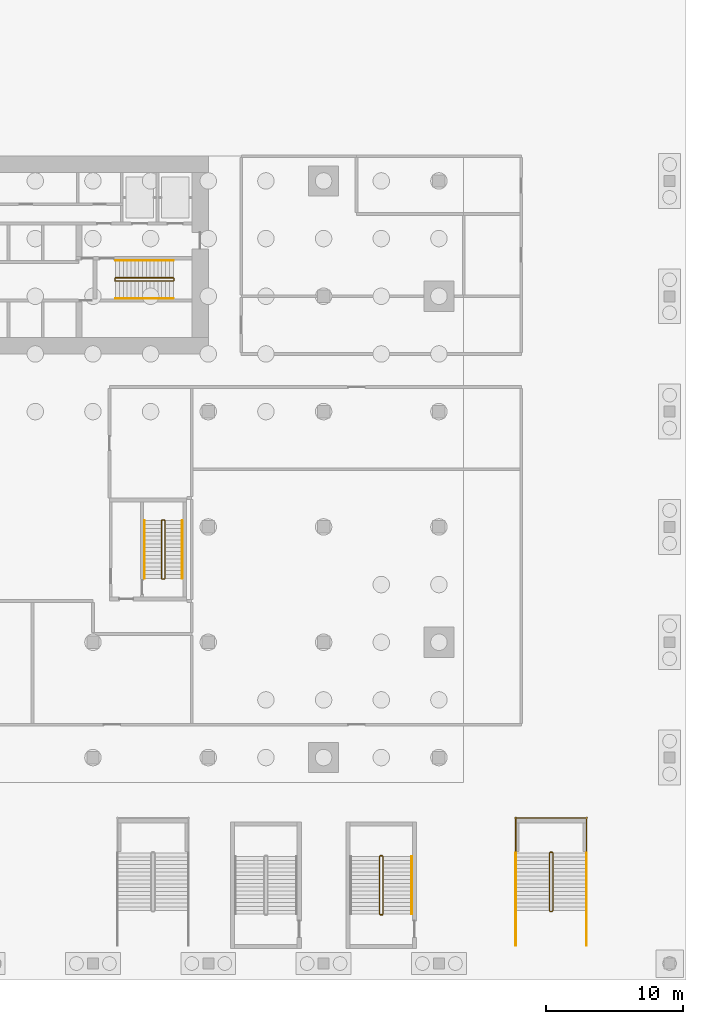
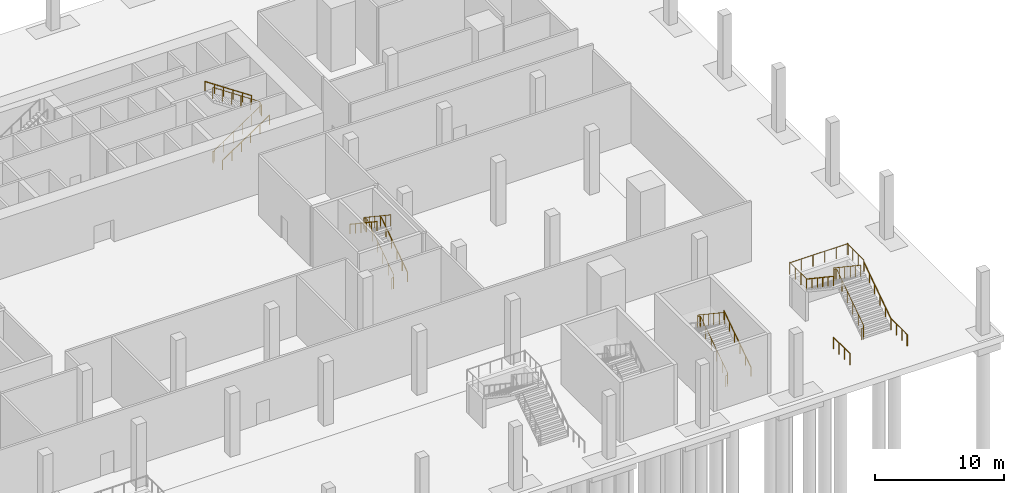
# One storey, part 15 of 16: 14 railings.
"""IFC4 building model written with IfcOpenShell, lengths in metres."""

import ifcopenshell
import ifcopenshell.guid

model = None  # the IFC model being written
_history = None  # IfcOwnerHistory: only IFC2X3 demands one
_inside = {}  # id of a spatial element -> (the spatial element, [elements in it])
_under = {}  # id of a project, library or spatial element -> (it, [spatial elements below it])
_declared = {}  # id of a project -> (the project, [libraries it declares])
_typed = {}  # id of a type object -> (the type object, [elements of that type])
_made_of = {}  # id of a material, layer set ... -> (it, [elements and type objects made of it])


def new_model(schema):
    """Start an empty IFC model of exactly this schema.

    Asked for "IFC4X3", IfcOpenShell would pick the latest addendum, in which some entities
    have other attributes; the version numbers below select the first issue.
    IFC2X3 requires an IfcOwnerHistory on every rooted entity: one is made here for all.
    """
    global model, _history
    if schema == "IFC4X3":
        model = ifcopenshell.file(schema_version=(4, 3, 0, 0))
    else:
        model = ifcopenshell.file(schema=schema)
    _inside.clear()
    _under.clear()
    _declared.clear()
    _typed.clear()
    _made_of.clear()
    _history = None
    if model.schema == "IFC2X3":
        org = make("IfcOrganization", Name="unknown")
        user = make(
            "IfcPersonAndOrganization",
            ThePerson=make("IfcPerson", FamilyName="unknown"),
            TheOrganization=org,
        )
        app = make(
            "IfcApplication",
            ApplicationDeveloper=org,
            Version="unknown",
            ApplicationFullName="unknown",
            ApplicationIdentifier="unknown",
        )
        _history = make(
            "IfcOwnerHistory",
            OwningUser=user,
            OwningApplication=app,
            ChangeAction="ADDED",
            CreationDate=0,
        )
    return model


def make(cls, **values):
    """One entity of the class cls with the attributes given. An attribute that is None is left unset."""
    return model.create_entity(
        cls, **{name: value for name, value in values.items() if value is not None}
    )


def rooted(cls, **values):
    """An entity with a GlobalId (a new one), such as an element, a storey or a relation."""
    return make(cls, GlobalId=ifcopenshell.guid.new(), OwnerHistory=_history, **values)


def si_unit(unit_type, name, prefix=None):
    """IfcSIUnit, for example si_unit("LENGTHUNIT", "METRE", prefix="MILLI")."""
    return make("IfcSIUnit", UnitType=unit_type, Prefix=prefix, Name=name)


def assignment(units):
    """IfcUnitAssignment: the units of a project."""
    return None if units is None else make("IfcUnitAssignment", Units=units)


def point(xyz):
    """IfcCartesianPoint."""
    return None if xyz is None else make("IfcCartesianPoint", Coordinates=xyz)


def direction(xyz):
    """IfcDirection."""
    return None if xyz is None else make("IfcDirection", DirectionRatios=xyz)


def frame(location, z_axis=None, x_axis=None):
    """IfcAxis2Placement3D, a coordinate frame: its origin and axes. An axis left out is left unset."""
    return make(
        "IfcAxis2Placement3D",
        Location=point(location),
        Axis=direction(z_axis),
        RefDirection=direction(x_axis),
    )


def frame_2d(location, x_axis=None):
    """IfcAxis2Placement2D, a coordinate frame in the plane: its origin and x axis."""
    return make(
        "IfcAxis2Placement2D", Location=point(location), RefDirection=direction(x_axis)
    )


def origin():
    """The frame at (0, 0, 0) with its axes left unset."""
    return frame((0.0, 0.0, 0.0))


def origin_2d():
    """The frame at (0, 0) in the plane with its x axis left unset."""
    return frame_2d((0.0, 0.0))


def place(relative_to, where):
    """IfcLocalPlacement: puts the frame where relative to a parent placement (None: the world)."""
    return make(
        "IfcLocalPlacement", PlacementRelTo=relative_to, RelativePlacement=where
    )


def context(
    kind, dimensions, precision=None, world=None, true_north=None, identifier=None
):
    """IfcGeometricRepresentationContext, for example the 3D "Model" context."""
    return make(
        "IfcGeometricRepresentationContext",
        ContextIdentifier=identifier,
        ContextType=kind,
        CoordinateSpaceDimension=dimensions,
        Precision=precision,
        WorldCoordinateSystem=world,
        TrueNorth=true_north,
    )


def subcontext(parent, identifier, kind, view, scale=None):
    """IfcGeometricRepresentationSubContext, for example "Body" below "Model"."""
    return make(
        "IfcGeometricRepresentationSubContext",
        ContextIdentifier=identifier,
        ContextType=kind,
        ParentContext=parent,
        TargetScale=scale,
        TargetView=view,
    )


def project(units=None, contexts=None):
    """IfcProject with its units and contexts."""
    return rooted(
        "IfcProject",
        Name="project",
        RepresentationContexts=contexts,
        UnitsInContext=assignment(units),
    )


def spatial(cls, under=None, at=None, **own):
    """A site, building, storey or space (cls), placed at a placement, below another one or the project."""
    s = rooted(cls, ObjectPlacement=at, **own)
    if under is not None:
        _under.setdefault(under.id(), (under, []))[1].append(s)
    return s


def profile(cls, at=None, kind="AREA", **sizes):
    """A parametric profile (cls). Its sizes go by their IFC names, for example OverallWidth=200.0."""
    return make(cls, ProfileType=kind, Position=at, **sizes)


def circle(**sizes):
    """IfcCircleProfileDef."""
    return profile("IfcCircleProfileDef", **sizes)


def extrude(swept, where, along, depth):
    """IfcExtrudedAreaSolid: the profile swept, set in the frame where, extruded along a direction by depth."""
    return make(
        "IfcExtrudedAreaSolid",
        SweptArea=swept,
        Position=where,
        ExtrudedDirection=direction(along),
        Depth=depth,
    )


def shape(context_of_items, identifier, shape_type, items):
    """IfcShapeRepresentation: the items that make up one representation, for example the "Body"."""
    return make(
        "IfcShapeRepresentation",
        ContextOfItems=context_of_items,
        RepresentationIdentifier=identifier,
        RepresentationType=shape_type,
        Items=items,
    )


def material(Name=None, Category=None):
    """IfcMaterial."""
    return make("IfcMaterial", Name=Name, Category=Category)


def made_of(thing, what):
    """Note that an element or type object is made of a material, layer set ...; save() writes the relation."""
    if what is not None:
        _made_of.setdefault(what.id(), (what, []))[1].append(thing)
    return thing


def type_object(cls, material=None, **own):
    """A type object (cls), such as IfcWallType, which elements share."""
    return made_of(rooted(cls, **own), material)


def element(
    cls,
    number,
    at=None,
    inside=None,
    cuts=None,
    type_object=None,
    material=None,
    context=None,
    identifier="Body",
    shape_type=None,
    held_by="IfcProductDefinitionShape",
    body=None,
    shapes=None,
    **own,
):
    """One element of the class cls, such as IfcWall. Its Tag is "e" and its number.

    at: its placement. inside: the storey or other place that contains it. cuts: it is an
    opening in that element (IfcRelVoidsElement). A single representation is given by context,
    identifier, shape_type and body (its items); several are given by shapes. held_by: the class
    of the entity that holds the representations. save() writes the other relations.
    """
    e = rooted(cls, Tag="e%d" % number, ObjectPlacement=at, **own)
    if body is not None:
        shapes = [shape(context, identifier, shape_type, body)]
    if shapes is not None:
        e.Representation = make(held_by, Representations=shapes)
    if inside is not None:
        _inside.setdefault(inside.id(), (inside, []))[1].append(e)
    if cuts is not None:
        rooted(
            "IfcRelVoidsElement", RelatingBuildingElement=cuts, RelatedOpeningElement=e
        )
    if type_object is not None:
        _typed.setdefault(type_object.id(), (type_object, []))[1].append(e)
    return made_of(e, material)


def aggregate(whole, parts):
    """IfcRelAggregates: a whole, such as a stair, and the parts it consists of."""
    return rooted("IfcRelAggregates", RelatingObject=whole, RelatedObjects=parts)


def save(model, path):
    """Write the relations noted so far, then the file.

    IfcRelAggregates (storeys below a building ...), IfcRelContainedInSpatialStructure (elements
    in a storey), IfcRelDefinesByType, IfcRelAssociatesMaterial and IfcRelDeclares: one each for
    every whole, place, type object, material and project.
    """
    for whole, parts in _under.values():
        aggregate(whole, parts)
    for where, things in _inside.values():
        rooted(
            "IfcRelContainedInSpatialStructure",
            RelatedElements=things,
            RelatingStructure=where,
        )
    for kind, things in _typed.values():
        rooted("IfcRelDefinesByType", RelatedObjects=things, RelatingType=kind)
    for what, things in _made_of.values():
        rooted("IfcRelAssociatesMaterial", RelatedObjects=things, RelatingMaterial=what)
    for by, libraries in _declared.values():
        rooted("IfcRelDeclares", RelatingContext=by, RelatedDefinitions=libraries)
    model.write(path)


model = new_model("IFC4")

# Units and contexts
model_context = context("Model", 3, precision=1e-05, world=origin(), true_north=direction((0.0, 1.0)))
body_context = subcontext(model_context, "Body", "Model", "MODEL_VIEW")
ifc_project = project(units=[si_unit("LENGTHUNIT", "METRE"), si_unit("AREAUNIT", "SQUARE_METRE"), si_unit("VOLUMEUNIT", "CUBIC_METRE"), si_unit("PLANEANGLEUNIT", "RADIAN"), si_unit("MASSUNIT", "GRAM", prefix="KILO")], contexts=[model_context])

# Site, building, storey
site_placement = place(None, origin())
site = spatial("IfcSite", under=ifc_project, at=site_placement, CompositionType="ELEMENT")
building_placement = place(site_placement, origin())
building = spatial("IfcBuilding", under=site, at=building_placement, Name="Saffron Gate Tower", CompositionType="ELEMENT")
storey_placement = place(building_placement, frame((0.0, 0.0, -6.0)))
storey = spatial("IfcBuildingStorey", under=building, at=storey_placement, Name="B1", CompositionType="ELEMENT", Elevation=-6.0)

# Railings
ifc_material_1 = material(Name="Stainless steel and laminated glass", Category="steel")
railing_type_1 = type_object("IfcRailingType", Name="CR1 Stair guard 1100", PredefinedType="GUARDRAIL", material=ifc_material_1)
railing_1_placement = place(storey_placement, frame((133.5, 20.60009765625, 0.0)))
element("IfcRailing", 1, at=railing_1_placement, inside=storey, type_object=railing_type_1, Name="B1 SS4 stair guard 1", PredefinedType="GUARDRAIL", context=body_context, shape_type="SweptSolid", body=[
    extrude(circle(Radius=0.02392578125, at=origin_2d()), frame((0.0, 0.0, 1.076171875), z_axis=(1.0, 0.0, 0.0), x_axis=(0.0, 1.0, 0.0)), (0.0, 0.0, 1.0), 0.14990234375),
    extrude(circle(Radius=0.02392578125, at=origin_2d()), frame((0.14990234375, 0.0, 1.076171875), z_axis=(0.249802250048, 0.248583702486, 0.935844527007), x_axis=(-0.705375805398, 0.708833529934, 0.0)), (0.0, 0.0, 1.0), 0.200439453125),
    extrude(circle(Radius=0.02392578125, at=origin_2d()), frame((0.199951171875, 0.0498046875, 1.263671875), z_axis=(0.0, 0.830919138977, 0.55639319234), x_axis=(-1.0, 0.0, 0.0)), (0.0, 0.0, 1.0), 5.054931640625),
    extrude(circle(Radius=0.02392578125, at=origin_2d()), frame((0.199951171875, 4.25, 4.076171875), z_axis=(-0.708833529934, 0.705375805398, 0.0), x_axis=(-0.705375805398, -0.708833529934, 0.0)), (0.0, 0.0, 1.0), 0.070556640625),
    extrude(circle(Radius=0.02392578125, at=origin_2d()), frame((0.14990234375, 4.2998046875, 4.076171875), z_axis=(-1.0, 0.0, 0.0), x_axis=(0.0, -1.0, 0.0)), (0.0, 0.0, 1.0), 0.14990234375),
    extrude(circle(Radius=0.02392578125, at=origin_2d()), frame((0.0, 4.2998046875, 4.076171875), z_axis=(-0.249802250048, -0.248583702486, 0.935844527007), x_axis=(0.705375805398, -0.708833529934, 0.0)), (0.0, 0.0, 1.0), 0.200439453125),
    extrude(circle(Radius=0.02392578125, at=origin_2d()), frame((-0.050048828125, 4.25, 4.263671875), z_axis=(0.0, -0.830919138977, 0.55639319234), x_axis=(1.0, 0.0, 0.0)), (0.0, 0.0, 1.0), 5.054931640625),
    extrude(circle(Radius=0.02099609375, at=origin_2d()), origin(), (0.0, 0.0, 1.0), 1.052001953125),
    extrude(circle(Radius=0.02099609375, at=origin_2d()), frame((0.14990234375, 0.0, 0.0)), (0.0, 0.0, 1.0), 1.052001953125),
    extrude(circle(Radius=0.02099609375, at=origin_2d()), frame((0.199951171875, 0.0498046875, 0.1875)), (0.0, 0.0, 1.0), 1.052001953125),
    extrude(circle(Radius=0.02099609375, at=origin_2d()), frame((0.199951171875, 0.889892578125, 0.75)), (0.0, 0.0, 1.0), 1.052001953125),
    extrude(circle(Radius=0.02099609375, at=origin_2d()), frame((0.199951171875, 1.72998046875, 1.3125)), (0.0, 0.0, 1.0), 1.052001953125),
    extrude(circle(Radius=0.02099609375, at=origin_2d()), frame((0.199951171875, 2.56982421875, 1.875)), (0.0, 0.0, 1.0), 1.052001953125),
    extrude(circle(Radius=0.02099609375, at=origin_2d()), frame((0.199951171875, 3.409912109375, 2.4375)), (0.0, 0.0, 1.0), 1.052001953125),
    extrude(circle(Radius=0.02099609375, at=origin_2d()), frame((0.199951171875, 4.25, 3.0)), (0.0, 0.0, 1.0), 1.052001953125),
    extrude(circle(Radius=0.02099609375, at=origin_2d()), frame((0.14990234375, 4.2998046875, 3.0)), (0.0, 0.0, 1.0), 1.052001953125),
    extrude(circle(Radius=0.02099609375, at=origin_2d()), frame((0.0, 4.2998046875, 3.0)), (0.0, 0.0, 1.0), 1.052001953125),
    extrude(circle(Radius=0.02099609375, at=origin_2d()), frame((-0.050048828125, 4.25, 3.1875)), (0.0, 0.0, 1.0), 1.052001953125),
    extrude(circle(Radius=0.02099609375, at=origin_2d()), frame((-0.050048828125, 3.409912109375, 3.75)), (0.0, 0.0, 1.0), 1.052001953125),
    extrude(circle(Radius=0.02099609375, at=origin_2d()), frame((-0.050048828125, 2.56982421875, 4.3125)), (0.0, 0.0, 1.0), 1.052001953125),
    extrude(circle(Radius=0.02099609375, at=origin_2d()), frame((-0.050048828125, 1.72998046875, 4.875)), (0.0, 0.0, 1.0), 1.052001953125),
    extrude(circle(Radius=0.02099609375, at=origin_2d()), frame((-0.050048828125, 0.889892578125, 5.4375)), (0.0, 0.0, 1.0), 1.052001953125),
    extrude(circle(Radius=0.02099609375, at=origin_2d()), frame((-0.050048828125, 0.0498046875, 6.0)), (0.0, 0.0, 1.0), 1.052001953125),
])
railing_2_placement = place(storey_placement, frame((136.14990234375, 24.85009765625, 3.0)))
element("IfcRailing", 2, at=railing_2_placement, inside=storey, type_object=railing_type_1, Name="B1 SS4 stair guard 2", PredefinedType="GUARDRAIL", context=body_context, shape_type="SweptSolid", body=[
    extrude(circle(Radius=0.02392578125, at=origin_2d()), frame((0.0, 0.0, 1.076171875), z_axis=(0.0, 1.0, 0.0), x_axis=(-1.0, 0.0, 0.0)), (0.0, 0.0, 1.0), 2.599853515625),
    extrude(circle(Radius=0.02392578125, at=origin_2d()), frame((0.0, 2.599853515625, 1.076171875), z_axis=(0.707106781187, -0.707106781187, 0.0), x_axis=(0.707106781187, 0.707106781187, 0.0)), (0.0, 0.0, 1.0), 0.07080078125),
    extrude(circle(Radius=0.02392578125, at=origin_2d()), frame((0.050048828125, 2.5498046875, 1.076171875), z_axis=(-1.0, 0.0, 0.0), x_axis=(0.0, -1.0, 0.0)), (0.0, 0.0, 1.0), 5.25),
    extrude(circle(Radius=0.02392578125, at=origin_2d()), frame((-5.199951171875, 2.5498046875, 1.076171875), z_axis=(0.707106781187, 0.707106781187, 0.0), x_axis=(-0.707106781187, 0.707106781187, 0.0)), (0.0, 0.0, 1.0), 0.07080078125),
    extrude(circle(Radius=0.02392578125, at=origin_2d()), frame((-5.14990234375, 2.599853515625, 1.076171875), z_axis=(0.0, -1.0, 0.0), x_axis=(1.0, 0.0, 0.0)), (0.0, 0.0, 1.0), 2.599853515625),
    extrude(circle(Radius=0.02099609375, at=origin_2d()), origin(), (0.0, 0.0, 1.0), 1.052001953125),
    extrude(circle(Radius=0.02099609375, at=origin_2d()), frame((0.0, 0.86669921875, 0.0)), (0.0, 0.0, 1.0), 1.052001953125),
    extrude(circle(Radius=0.02099609375, at=origin_2d()), frame((0.0, 1.733154296875, 0.0)), (0.0, 0.0, 1.0), 1.052001953125),
    extrude(circle(Radius=0.02099609375, at=origin_2d()), frame((0.0, 2.599853515625, 0.0)), (0.0, 0.0, 1.0), 1.052001953125),
    extrude(circle(Radius=0.02099609375, at=origin_2d()), frame((0.050048828125, 2.5498046875, 0.0)), (0.0, 0.0, 1.0), 1.052001953125),
    extrude(circle(Radius=0.02099609375, at=origin_2d()), frame((-1.0, 2.5498046875, 0.0)), (0.0, 0.0, 1.0), 1.052001953125),
    extrude(circle(Radius=0.02099609375, at=origin_2d()), frame((-2.050048828125, 2.5498046875, 0.0)), (0.0, 0.0, 1.0), 1.052001953125),
    extrude(circle(Radius=0.02099609375, at=origin_2d()), frame((-3.099853515625, 2.5498046875, 0.0)), (0.0, 0.0, 1.0), 1.052001953125),
    extrude(circle(Radius=0.02099609375, at=origin_2d()), frame((-4.14990234375, 2.5498046875, 0.0)), (0.0, 0.0, 1.0), 1.052001953125),
    extrude(circle(Radius=0.02099609375, at=origin_2d()), frame((-5.199951171875, 2.5498046875, 0.0)), (0.0, 0.0, 1.0), 1.052001953125),
    extrude(circle(Radius=0.02099609375, at=origin_2d()), frame((-5.14990234375, 2.599853515625, 0.0)), (0.0, 0.0, 1.0), 1.052001953125),
    extrude(circle(Radius=0.02099609375, at=origin_2d()), frame((-5.14990234375, 1.733154296875, 0.0)), (0.0, 0.0, 1.0), 1.052001953125),
    extrude(circle(Radius=0.02099609375, at=origin_2d()), frame((-5.14990234375, 0.86669921875, 0.0)), (0.0, 0.0, 1.0), 1.052001953125),
    extrude(circle(Radius=0.02099609375, at=origin_2d()), frame((-5.14990234375, 0.0, 0.0)), (0.0, 0.0, 1.0), 1.052001953125),
])
for number, where, name in (
    (3, (136.14990234375, 18.10009765625, 0.0), "B1 SS4 stair guard 3"),
    (4, (131.0, 18.10009765625, 0.0), "B1 SS4 stair guard 4"),
):
    element("IfcRailing", number, at=place(storey_placement, frame(where)), inside=storey, type_object=railing_type_1, Name=name, PredefinedType="GUARDRAIL", context=body_context, shape_type="SweptSolid", body=[
        extrude(circle(Radius=0.02392578125, at=origin_2d()), frame((0.0, 0.0, 1.076171875), z_axis=(0.0, 1.0, 0.0), x_axis=(-1.0, 0.0, 0.0)), (0.0, 0.0, 1.0), 2.5498046875),
        extrude(circle(Radius=0.02099609375, at=origin_2d()), origin(), (0.0, 0.0, 1.0), 1.052001953125),
        extrude(circle(Radius=0.02099609375, at=origin_2d()), frame((0.0, 0.849853515625, 0.0)), (0.0, 0.0, 1.0), 1.052001953125),
        extrude(circle(Radius=0.02099609375, at=origin_2d()), frame((0.0, 1.699951171875, 0.0)), (0.0, 0.0, 1.0), 1.052001953125),
        extrude(circle(Radius=0.02099609375, at=origin_2d()), frame((0.0, 2.5498046875, 0.0)), (0.0, 0.0, 1.0), 1.052001953125),
    ])
railing_3_placement = place(storey_placement, frame((101.800048828125, 66.699951171875, 0.0)))
element("IfcRailing", 5, at=railing_3_placement, inside=storey, type_object=railing_type_1, Name="B1 ST-B stair guard 1", PredefinedType="GUARDRAIL", context=body_context, shape_type="SweptSolid", body=[
    extrude(circle(Radius=0.02392578125, at=origin_2d()), frame((0.0, 0.0, 1.076171875), z_axis=(0.0, -1.0, 0.0), x_axis=(1.0, 0.0, 0.0)), (0.0, 0.0, 1.0), 0.14990234375),
    extrude(circle(Radius=0.02392578125, at=origin_2d()), frame((0.0, -0.14990234375, 1.076171875), z_axis=(0.249726431254, -0.249726431254, 0.935560483917), x_axis=(0.707106781187, 0.707106781187, 0.0)), (0.0, 0.0, 1.0), 0.200439453125),
    extrude(circle(Radius=0.02392578125, at=origin_2d()), frame((0.050048828125, -0.199951171875, 1.263671875), z_axis=(0.830904186295, 0.0, 0.556415522067), x_axis=(0.0, 1.0, 0.0)), (0.0, 0.0, 1.0), 5.0546875),
    extrude(circle(Radius=0.02392578125, at=origin_2d()), frame((4.25, -0.199951171875, 4.076171875), z_axis=(0.707106781187, 0.707106781187, 0.0), x_axis=(-0.707106781187, 0.707106781187, 0.0)), (0.0, 0.0, 1.0), 0.07080078125),
    extrude(circle(Radius=0.02392578125, at=origin_2d()), frame((4.300048828125, -0.14990234375, 4.076171875), z_axis=(0.0, 1.0, 0.0), x_axis=(-1.0, 0.0, 0.0)), (0.0, 0.0, 1.0), 0.14990234375),
    extrude(circle(Radius=0.02392578125, at=origin_2d()), frame((4.300048828125, 0.0, 4.076171875), z_axis=(-0.249726431254, 0.249726431254, 0.935560483917), x_axis=(-0.707106781187, -0.707106781187, 0.0)), (0.0, 0.0, 1.0), 0.200439453125),
    extrude(circle(Radius=0.02392578125, at=origin_2d()), frame((4.25, 0.050048828125, 4.263671875), z_axis=(-0.830904186295, 0.0, 0.556415522067), x_axis=(0.0, -1.0, 0.0)), (0.0, 0.0, 1.0), 5.0546875),
    extrude(circle(Radius=0.02099609375, at=origin_2d()), origin(), (0.0, 0.0, 1.0), 1.052001953125),
    extrude(circle(Radius=0.02099609375, at=origin_2d()), frame((0.0, -0.14990234375, 0.0)), (0.0, 0.0, 1.0), 1.052001953125),
    extrude(circle(Radius=0.02099609375, at=origin_2d()), frame((0.050048828125, -0.199951171875, 0.1875)), (0.0, 0.0, 1.0), 1.052001953125),
    extrude(circle(Radius=0.02099609375, at=origin_2d()), frame((0.89013671875, -0.199951171875, 0.75)), (0.0, 0.0, 1.0), 1.052001953125),
    extrude(circle(Radius=0.02099609375, at=origin_2d()), frame((1.72998046875, -0.199951171875, 1.3125)), (0.0, 0.0, 1.0), 1.052001953125),
    extrude(circle(Radius=0.02099609375, at=origin_2d()), frame((2.570068359375, -0.199951171875, 1.875)), (0.0, 0.0, 1.0), 1.052001953125),
    extrude(circle(Radius=0.02099609375, at=origin_2d()), frame((3.409912109375, -0.199951171875, 2.4375)), (0.0, 0.0, 1.0), 1.052001953125),
    extrude(circle(Radius=0.02099609375, at=origin_2d()), frame((4.25, -0.199951171875, 3.0)), (0.0, 0.0, 1.0), 1.052001953125),
    extrude(circle(Radius=0.02099609375, at=origin_2d()), frame((4.300048828125, -0.14990234375, 3.0)), (0.0, 0.0, 1.0), 1.052001953125),
    extrude(circle(Radius=0.02099609375, at=origin_2d()), frame((4.300048828125, 0.0, 3.0)), (0.0, 0.0, 1.0), 1.052001953125),
    extrude(circle(Radius=0.02099609375, at=origin_2d()), frame((4.25, 0.050048828125, 3.1875)), (0.0, 0.0, 1.0), 1.052001953125),
    extrude(circle(Radius=0.02099609375, at=origin_2d()), frame((3.409912109375, 0.050048828125, 3.75)), (0.0, 0.0, 1.0), 1.052001953125),
    extrude(circle(Radius=0.02099609375, at=origin_2d()), frame((2.570068359375, 0.050048828125, 4.3125)), (0.0, 0.0, 1.0), 1.052001953125),
    extrude(circle(Radius=0.02099609375, at=origin_2d()), frame((1.72998046875, 0.050048828125, 4.875)), (0.0, 0.0, 1.0), 1.052001953125),
    extrude(circle(Radius=0.02099609375, at=origin_2d()), frame((0.89013671875, 0.050048828125, 5.4375)), (0.0, 0.0, 1.0), 1.052001953125),
    extrude(circle(Radius=0.02099609375, at=origin_2d()), frame((0.050048828125, 0.050048828125, 6.0)), (0.0, 0.0, 1.0), 1.052001953125),
])
railing_4_placement = place(storey_placement, frame((105.25, 44.800048828125, 0.0)))
element("IfcRailing", 6, at=railing_4_placement, inside=storey, type_object=railing_type_1, Name="B1 ST-E stair guard 1", PredefinedType="GUARDRAIL", context=body_context, shape_type="SweptSolid", body=[
    extrude(circle(Radius=0.02392578125, at=origin_2d()), frame((0.0, 0.0, 1.076171875), z_axis=(1.0, 0.0, 0.0), x_axis=(0.0, 1.0, 0.0)), (0.0, 0.0, 1.0), 0.14990234375),
    extrude(circle(Radius=0.02392578125, at=origin_2d()), frame((0.14990234375, 0.0, 1.076171875), z_axis=(0.249726431254, 0.249726431254, 0.935560483917), x_axis=(-0.707106781187, 0.707106781187, 0.0)), (0.0, 0.0, 1.0), 0.200439453125),
    extrude(circle(Radius=0.02392578125, at=origin_2d()), frame((0.199951171875, 0.050048828125, 1.263671875), z_axis=(0.0, 0.830904186295, 0.556415522067), x_axis=(-1.0, 0.0, 0.0)), (0.0, 0.0, 1.0), 5.0546875),
    extrude(circle(Radius=0.02392578125, at=origin_2d()), frame((0.199951171875, 4.25, 4.076171875), z_axis=(-0.707106781187, 0.707106781187, 0.0), x_axis=(-0.707106781187, -0.707106781187, 0.0)), (0.0, 0.0, 1.0), 0.07080078125),
    extrude(circle(Radius=0.02392578125, at=origin_2d()), frame((0.14990234375, 4.300048828125, 4.076171875), z_axis=(-1.0, 0.0, 0.0), x_axis=(0.0, -1.0, 0.0)), (0.0, 0.0, 1.0), 0.14990234375),
    extrude(circle(Radius=0.02392578125, at=origin_2d()), frame((0.0, 4.300048828125, 4.076171875), z_axis=(-0.249726431254, -0.249726431254, 0.935560483917), x_axis=(0.707106781187, -0.707106781187, 0.0)), (0.0, 0.0, 1.0), 0.200439453125),
    extrude(circle(Radius=0.02392578125, at=origin_2d()), frame((-0.050048828125, 4.25, 4.263671875), z_axis=(0.0, -0.830904186295, 0.556415522067), x_axis=(1.0, 0.0, 0.0)), (0.0, 0.0, 1.0), 5.0546875),
    extrude(circle(Radius=0.02099609375, at=origin_2d()), origin(), (0.0, 0.0, 1.0), 1.052001953125),
    extrude(circle(Radius=0.02099609375, at=origin_2d()), frame((0.14990234375, 0.0, 0.0)), (0.0, 0.0, 1.0), 1.052001953125),
    extrude(circle(Radius=0.02099609375, at=origin_2d()), frame((0.199951171875, 0.050048828125, 0.1875)), (0.0, 0.0, 1.0), 1.052001953125),
    extrude(circle(Radius=0.02099609375, at=origin_2d()), frame((0.199951171875, 0.89013671875, 0.75)), (0.0, 0.0, 1.0), 1.052001953125),
    extrude(circle(Radius=0.02099609375, at=origin_2d()), frame((0.199951171875, 1.72998046875, 1.3125)), (0.0, 0.0, 1.0), 1.052001953125),
    extrude(circle(Radius=0.02099609375, at=origin_2d()), frame((0.199951171875, 2.570068359375, 1.875)), (0.0, 0.0, 1.0), 1.052001953125),
    extrude(circle(Radius=0.02099609375, at=origin_2d()), frame((0.199951171875, 3.409912109375, 2.4375)), (0.0, 0.0, 1.0), 1.052001953125),
    extrude(circle(Radius=0.02099609375, at=origin_2d()), frame((0.199951171875, 4.25, 3.0)), (0.0, 0.0, 1.0), 1.052001953125),
    extrude(circle(Radius=0.02099609375, at=origin_2d()), frame((0.14990234375, 4.300048828125, 3.0)), (0.0, 0.0, 1.0), 1.052001953125),
    extrude(circle(Radius=0.02099609375, at=origin_2d()), frame((0.0, 4.300048828125, 3.0)), (0.0, 0.0, 1.0), 1.052001953125),
    extrude(circle(Radius=0.02099609375, at=origin_2d()), frame((-0.050048828125, 4.25, 3.1875)), (0.0, 0.0, 1.0), 1.052001953125),
    extrude(circle(Radius=0.02099609375, at=origin_2d()), frame((-0.050048828125, 3.409912109375, 3.75)), (0.0, 0.0, 1.0), 1.052001953125),
    extrude(circle(Radius=0.02099609375, at=origin_2d()), frame((-0.050048828125, 2.570068359375, 4.3125)), (0.0, 0.0, 1.0), 1.052001953125),
    extrude(circle(Radius=0.02099609375, at=origin_2d()), frame((-0.050048828125, 1.72998046875, 4.875)), (0.0, 0.0, 1.0), 1.052001953125),
    extrude(circle(Radius=0.02099609375, at=origin_2d()), frame((-0.050048828125, 0.89013671875, 5.4375)), (0.0, 0.0, 1.0), 1.052001953125),
    extrude(circle(Radius=0.02099609375, at=origin_2d()), frame((-0.050048828125, 0.050048828125, 6.0)), (0.0, 0.0, 1.0), 1.052001953125),
])
railing_5_placement = place(storey_placement, frame((121.125, 20.35009765625, 0.0)))
element("IfcRailing", 7, at=railing_5_placement, inside=storey, type_object=railing_type_1, Name="B1 ST-M stair guard 1", PredefinedType="GUARDRAIL", context=body_context, shape_type="SweptSolid", body=[
    extrude(circle(Radius=0.02392578125, at=origin_2d()), frame((0.0, 0.0, 1.076171875), z_axis=(1.0, 0.0, 0.0), x_axis=(0.0, 1.0, 0.0)), (0.0, 0.0, 1.0), 0.14990234375),
    extrude(circle(Radius=0.02392578125, at=origin_2d()), frame((0.14990234375, 0.0, 1.076171875), z_axis=(0.249802250048, 0.248583702486, 0.935844527007), x_axis=(-0.705375805398, 0.708833529934, 0.0)), (0.0, 0.0, 1.0), 0.200439453125),
    extrude(circle(Radius=0.02392578125, at=origin_2d()), frame((0.199951171875, 0.0498046875, 1.263671875), z_axis=(0.0, 0.830919138977, 0.55639319234), x_axis=(-1.0, 0.0, 0.0)), (0.0, 0.0, 1.0), 5.054931640625),
    extrude(circle(Radius=0.02392578125, at=origin_2d()), frame((0.199951171875, 4.25, 4.076171875), z_axis=(-0.708833529934, 0.705375805398, 0.0), x_axis=(-0.705375805398, -0.708833529934, 0.0)), (0.0, 0.0, 1.0), 0.070556640625),
    extrude(circle(Radius=0.02392578125, at=origin_2d()), frame((0.14990234375, 4.2998046875, 4.076171875), z_axis=(-1.0, 0.0, 0.0), x_axis=(0.0, -1.0, 0.0)), (0.0, 0.0, 1.0), 0.14990234375),
    extrude(circle(Radius=0.02392578125, at=origin_2d()), frame((0.0, 4.2998046875, 4.076171875), z_axis=(-0.249802250048, -0.248583702486, 0.935844527007), x_axis=(0.705375805398, -0.708833529934, 0.0)), (0.0, 0.0, 1.0), 0.200439453125),
    extrude(circle(Radius=0.02392578125, at=origin_2d()), frame((-0.050048828125, 4.25, 4.263671875), z_axis=(0.0, -0.830919138977, 0.55639319234), x_axis=(1.0, 0.0, 0.0)), (0.0, 0.0, 1.0), 5.054931640625),
    extrude(circle(Radius=0.02099609375, at=origin_2d()), origin(), (0.0, 0.0, 1.0), 1.052001953125),
    extrude(circle(Radius=0.02099609375, at=origin_2d()), frame((0.14990234375, 0.0, 0.0)), (0.0, 0.0, 1.0), 1.052001953125),
    extrude(circle(Radius=0.02099609375, at=origin_2d()), frame((0.199951171875, 0.0498046875, 0.1875)), (0.0, 0.0, 1.0), 1.052001953125),
    extrude(circle(Radius=0.02099609375, at=origin_2d()), frame((0.199951171875, 0.889892578125, 0.75)), (0.0, 0.0, 1.0), 1.052001953125),
    extrude(circle(Radius=0.02099609375, at=origin_2d()), frame((0.199951171875, 1.72998046875, 1.3125)), (0.0, 0.0, 1.0), 1.052001953125),
    extrude(circle(Radius=0.02099609375, at=origin_2d()), frame((0.199951171875, 2.56982421875, 1.875)), (0.0, 0.0, 1.0), 1.052001953125),
    extrude(circle(Radius=0.02099609375, at=origin_2d()), frame((0.199951171875, 3.409912109375, 2.4375)), (0.0, 0.0, 1.0), 1.052001953125),
    extrude(circle(Radius=0.02099609375, at=origin_2d()), frame((0.199951171875, 4.25, 3.0)), (0.0, 0.0, 1.0), 1.052001953125),
    extrude(circle(Radius=0.02099609375, at=origin_2d()), frame((0.14990234375, 4.2998046875, 3.0)), (0.0, 0.0, 1.0), 1.052001953125),
    extrude(circle(Radius=0.02099609375, at=origin_2d()), frame((0.0, 4.2998046875, 3.0)), (0.0, 0.0, 1.0), 1.052001953125),
    extrude(circle(Radius=0.02099609375, at=origin_2d()), frame((-0.050048828125, 4.25, 3.1875)), (0.0, 0.0, 1.0), 1.052001953125),
    extrude(circle(Radius=0.02099609375, at=origin_2d()), frame((-0.050048828125, 3.409912109375, 3.75)), (0.0, 0.0, 1.0), 1.052001953125),
    extrude(circle(Radius=0.02099609375, at=origin_2d()), frame((-0.050048828125, 2.56982421875, 4.3125)), (0.0, 0.0, 1.0), 1.052001953125),
    extrude(circle(Radius=0.02099609375, at=origin_2d()), frame((-0.050048828125, 1.72998046875, 4.875)), (0.0, 0.0, 1.0), 1.052001953125),
    extrude(circle(Radius=0.02099609375, at=origin_2d()), frame((-0.050048828125, 0.889892578125, 5.4375)), (0.0, 0.0, 1.0), 1.052001953125),
    extrude(circle(Radius=0.02099609375, at=origin_2d()), frame((-0.050048828125, 0.0498046875, 6.0)), (0.0, 0.0, 1.0), 1.052001953125),
])
ifc_material_2 = material(Name="Stainless steel", Category="steel")
railing_type_2 = type_object("IfcRailingType", Name="CR2 Stair handrail 900", PredefinedType="HANDRAIL", material=ifc_material_2)
railing_6_placement = place(storey_placement, frame((136.14990234375, 20.64990234375, 0.1875)))
element("IfcRailing", 8, at=railing_6_placement, inside=storey, type_object=railing_type_2, Name="B1 SS4 stair handrail 1", PredefinedType="HANDRAIL", context=body_context, shape_type="SweptSolid", body=[
    extrude(circle(Radius=0.02392578125, at=origin_2d()), frame((0.0, 0.0, 0.8759765625), z_axis=(0.0, 0.830919138977, 0.55639319234), x_axis=(-1.0, 0.0, 0.0)), (0.0, 0.0, 1.0), 5.054931640625),
    extrude(circle(Radius=0.02099609375, at=origin_2d()), origin(), (0.0, 0.0, 1.0), 0.851806640625),
    extrude(circle(Radius=0.02099609375, at=origin_2d()), frame((0.0, 0.840087890625, 0.5625)), (0.0, 0.0, 1.0), 0.851806640625),
    extrude(circle(Radius=0.02099609375, at=origin_2d()), frame((0.0, 1.68017578125, 1.125)), (0.0, 0.0, 1.0), 0.851806640625),
    extrude(circle(Radius=0.02099609375, at=origin_2d()), frame((0.0, 2.52001953125, 1.6875)), (0.0, 0.0, 1.0), 0.851806640625),
    extrude(circle(Radius=0.02099609375, at=origin_2d()), frame((0.0, 3.360107421875, 2.25)), (0.0, 0.0, 1.0), 0.851806640625),
    extrude(circle(Radius=0.02099609375, at=origin_2d()), frame((0.0, 4.2001953125, 2.8125)), (0.0, 0.0, 1.0), 0.851806640625),
])
railing_7_placement = place(storey_placement, frame((131.0, 24.85009765625, 3.1875)))
element("IfcRailing", 9, at=railing_7_placement, inside=storey, type_object=railing_type_2, Name="B1 SS4 stair handrail 2", PredefinedType="HANDRAIL", context=body_context, shape_type="SweptSolid", body=[
    extrude(circle(Radius=0.02392578125, at=origin_2d()), frame((0.0, 0.0, 0.8759765625), z_axis=(0.0, -0.830919138977, 0.55639319234), x_axis=(1.0, 0.0, 0.0)), (0.0, 0.0, 1.0), 5.054931640625),
    extrude(circle(Radius=0.02099609375, at=origin_2d()), origin(), (0.0, 0.0, 1.0), 0.851806640625),
    extrude(circle(Radius=0.02099609375, at=origin_2d()), frame((0.0, -0.840087890625, 0.5625)), (0.0, 0.0, 1.0), 0.851806640625),
    extrude(circle(Radius=0.02099609375, at=origin_2d()), frame((0.0, -1.68017578125, 1.125)), (0.0, 0.0, 1.0), 0.851806640625),
    extrude(circle(Radius=0.02099609375, at=origin_2d()), frame((0.0, -2.52001953125, 1.6875)), (0.0, 0.0, 1.0), 0.851806640625),
    extrude(circle(Radius=0.02099609375, at=origin_2d()), frame((0.0, -3.360107421875, 2.25)), (0.0, 0.0, 1.0), 0.851806640625),
    extrude(circle(Radius=0.02099609375, at=origin_2d()), frame((0.0, -4.2001953125, 2.8125)), (0.0, 0.0, 1.0), 0.851806640625),
])
railing_8_placement = place(storey_placement, frame((101.85009765625, 65.25, 0.1875)))
element("IfcRailing", 10, at=railing_8_placement, inside=storey, type_object=railing_type_2, Name="B1 ST-B stair handrail 1", PredefinedType="HANDRAIL", context=body_context, shape_type="SweptSolid", body=[
    extrude(circle(Radius=0.02392578125, at=origin_2d()), frame((0.0, 0.0, 0.8759765625), z_axis=(0.830904186295, 0.0, 0.556415522067), x_axis=(0.0, 1.0, 0.0)), (0.0, 0.0, 1.0), 5.0546875),
    extrude(circle(Radius=0.02099609375, at=origin_2d()), origin(), (0.0, 0.0, 1.0), 0.851806640625),
    extrude(circle(Radius=0.02099609375, at=origin_2d()), frame((0.840087890625, 0.0, 0.5625)), (0.0, 0.0, 1.0), 0.851806640625),
    extrude(circle(Radius=0.02099609375, at=origin_2d()), frame((1.679931640625, 0.0, 1.125)), (0.0, 0.0, 1.0), 0.851806640625),
    extrude(circle(Radius=0.02099609375, at=origin_2d()), frame((2.52001953125, 0.0, 1.6875)), (0.0, 0.0, 1.0), 0.851806640625),
    extrude(circle(Radius=0.02099609375, at=origin_2d()), frame((3.35986328125, 0.0, 2.25)), (0.0, 0.0, 1.0), 0.851806640625),
    extrude(circle(Radius=0.02099609375, at=origin_2d()), frame((4.199951171875, 0.0, 2.8125)), (0.0, 0.0, 1.0), 0.851806640625),
])
railing_9_placement = place(storey_placement, frame((106.050048828125, 68.0, 3.1875)))
element("IfcRailing", 11, at=railing_9_placement, inside=storey, type_object=railing_type_2, Name="B1 ST-B stair handrail 2", PredefinedType="HANDRAIL", context=body_context, shape_type="SweptSolid", body=[
    extrude(circle(Radius=0.02392578125, at=origin_2d()), frame((0.0, 0.0, 0.8759765625), z_axis=(-0.830904186295, 0.0, 0.556415522067), x_axis=(0.0, -1.0, 0.0)), (0.0, 0.0, 1.0), 5.0546875),
    extrude(circle(Radius=0.02099609375, at=origin_2d()), origin(), (0.0, 0.0, 1.0), 0.851806640625),
    extrude(circle(Radius=0.02099609375, at=origin_2d()), frame((-0.840087890625, 0.0, 0.5625)), (0.0, 0.0, 1.0), 0.851806640625),
    extrude(circle(Radius=0.02099609375, at=origin_2d()), frame((-1.679931640625, 0.0, 1.125)), (0.0, 0.0, 1.0), 0.851806640625),
    extrude(circle(Radius=0.02099609375, at=origin_2d()), frame((-2.52001953125, 0.0, 1.6875)), (0.0, 0.0, 1.0), 0.851806640625),
    extrude(circle(Radius=0.02099609375, at=origin_2d()), frame((-3.35986328125, 0.0, 2.25)), (0.0, 0.0, 1.0), 0.851806640625),
    extrude(circle(Radius=0.02099609375, at=origin_2d()), frame((-4.199951171875, 0.0, 2.8125)), (0.0, 0.0, 1.0), 0.851806640625),
])
railing_10_placement = place(storey_placement, frame((106.699951171875, 44.85009765625, 0.1875)))
element("IfcRailing", 12, at=railing_10_placement, inside=storey, type_object=railing_type_2, Name="B1 ST-E stair handrail 1", PredefinedType="HANDRAIL", context=body_context, shape_type="SweptSolid", body=[
    extrude(circle(Radius=0.02392578125, at=origin_2d()), frame((0.0, 0.0, 0.8759765625), z_axis=(0.0, 0.830904186295, 0.556415522067), x_axis=(-1.0, 0.0, 0.0)), (0.0, 0.0, 1.0), 5.0546875),
    extrude(circle(Radius=0.02099609375, at=origin_2d()), origin(), (0.0, 0.0, 1.0), 0.851806640625),
    extrude(circle(Radius=0.02099609375, at=origin_2d()), frame((0.0, 0.840087890625, 0.5625)), (0.0, 0.0, 1.0), 0.851806640625),
    extrude(circle(Radius=0.02099609375, at=origin_2d()), frame((0.0, 1.679931640625, 1.125)), (0.0, 0.0, 1.0), 0.851806640625),
    extrude(circle(Radius=0.02099609375, at=origin_2d()), frame((0.0, 2.52001953125, 1.6875)), (0.0, 0.0, 1.0), 0.851806640625),
    extrude(circle(Radius=0.02099609375, at=origin_2d()), frame((0.0, 3.35986328125, 2.25)), (0.0, 0.0, 1.0), 0.851806640625),
    extrude(circle(Radius=0.02099609375, at=origin_2d()), frame((0.0, 4.199951171875, 2.8125)), (0.0, 0.0, 1.0), 0.851806640625),
])
railing_11_placement = place(storey_placement, frame((103.949951171875, 49.050048828125, 3.1875)))
element("IfcRailing", 13, at=railing_11_placement, inside=storey, type_object=railing_type_2, Name="B1 ST-E stair handrail 2", PredefinedType="HANDRAIL", context=body_context, shape_type="SweptSolid", body=[
    extrude(circle(Radius=0.02392578125, at=origin_2d()), frame((0.0, 0.0, 0.8759765625), z_axis=(0.0, -0.830904186295, 0.556415522067), x_axis=(1.0, 0.0, 0.0)), (0.0, 0.0, 1.0), 5.0546875),
    extrude(circle(Radius=0.02099609375, at=origin_2d()), origin(), (0.0, 0.0, 1.0), 0.851806640625),
    extrude(circle(Radius=0.02099609375, at=origin_2d()), frame((0.0, -0.840087890625, 0.5625)), (0.0, 0.0, 1.0), 0.851806640625),
    extrude(circle(Radius=0.02099609375, at=origin_2d()), frame((0.0, -1.679931640625, 1.125)), (0.0, 0.0, 1.0), 0.851806640625),
    extrude(circle(Radius=0.02099609375, at=origin_2d()), frame((0.0, -2.52001953125, 1.6875)), (0.0, 0.0, 1.0), 0.851806640625),
    extrude(circle(Radius=0.02099609375, at=origin_2d()), frame((0.0, -3.35986328125, 2.25)), (0.0, 0.0, 1.0), 0.851806640625),
    extrude(circle(Radius=0.02099609375, at=origin_2d()), frame((0.0, -4.199951171875, 2.8125)), (0.0, 0.0, 1.0), 0.851806640625),
])
railing_12_placement = place(storey_placement, frame((123.425048828125, 20.39990234375, 0.1875)))
element("IfcRailing", 14, at=railing_12_placement, inside=storey, type_object=railing_type_2, Name="B1 ST-M stair handrail 1", PredefinedType="HANDRAIL", context=body_context, shape_type="SweptSolid", body=[
    extrude(circle(Radius=0.02392578125, at=origin_2d()), frame((0.0, 0.0, 0.8759765625), z_axis=(0.0, 0.830919138977, 0.55639319234), x_axis=(-1.0, 0.0, 0.0)), (0.0, 0.0, 1.0), 5.054931640625),
    extrude(circle(Radius=0.02099609375, at=origin_2d()), origin(), (0.0, 0.0, 1.0), 0.851806640625),
    extrude(circle(Radius=0.02099609375, at=origin_2d()), frame((0.0, 0.840087890625, 0.5625)), (0.0, 0.0, 1.0), 0.851806640625),
    extrude(circle(Radius=0.02099609375, at=origin_2d()), frame((0.0, 1.68017578125, 1.125)), (0.0, 0.0, 1.0), 0.851806640625),
    extrude(circle(Radius=0.02099609375, at=origin_2d()), frame((0.0, 2.52001953125, 1.6875)), (0.0, 0.0, 1.0), 0.851806640625),
    extrude(circle(Radius=0.02099609375, at=origin_2d()), frame((0.0, 3.360107421875, 2.25)), (0.0, 0.0, 1.0), 0.851806640625),
    extrude(circle(Radius=0.02099609375, at=origin_2d()), frame((0.0, 4.2001953125, 2.8125)), (0.0, 0.0, 1.0), 0.851806640625),
])

save(model, "model.ifc")
